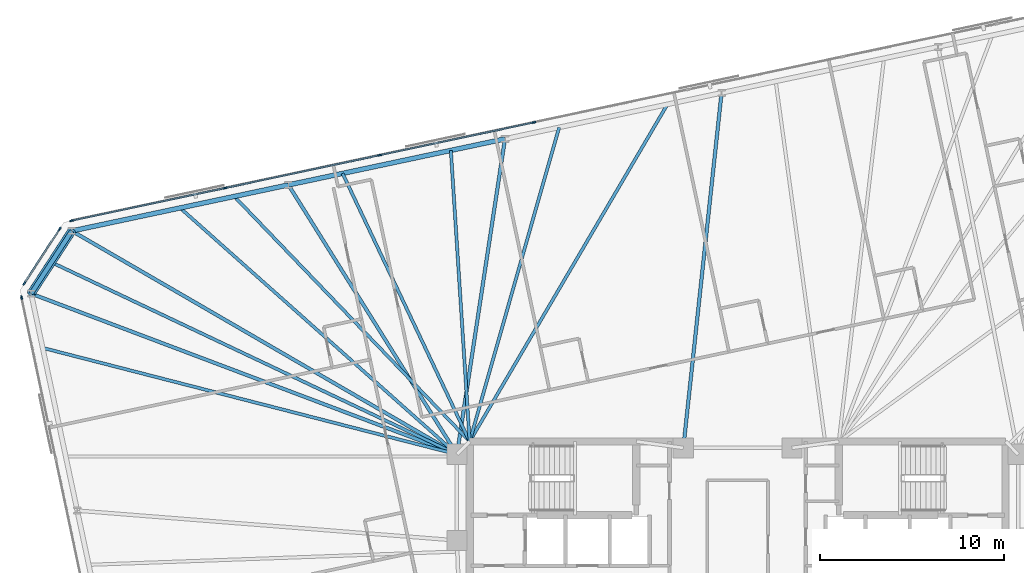
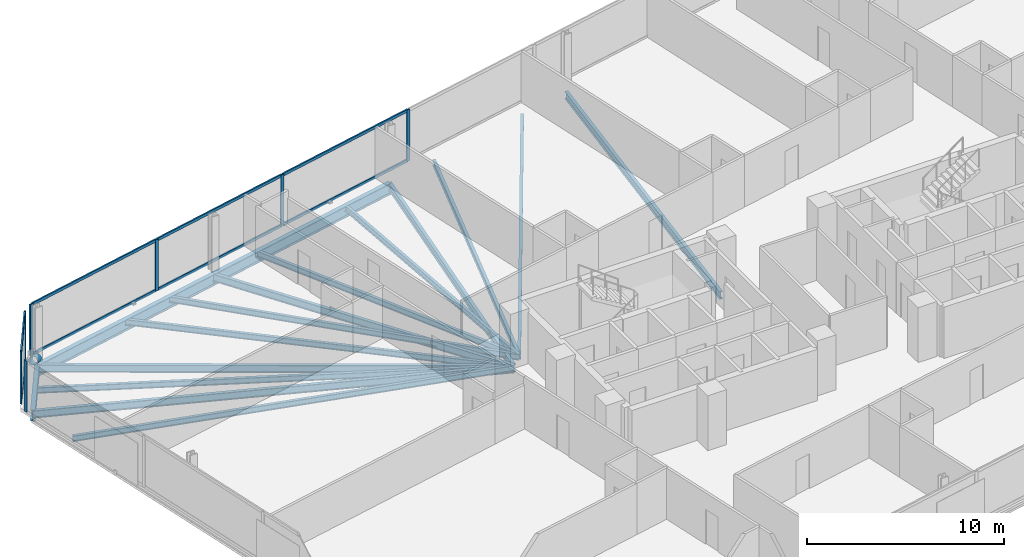
# One storey, part 9 of 19: 16 beams, 16 members, 3 elements without a shape of their own.
"""IFC4 building model written with IfcOpenShell, lengths in metres."""

from ifc_helpers import new_model, si_unit, direction, frame, origin, origin_2d, place, context, subcontext, project, spatial, rectangle, hollow_circle, i_section, extrude, material, material_profile, profile_set, type_object, element, aggregate, save


model = new_model("IFC4")

# Units and contexts
model_context = context("Model", 3, precision=1e-05, world=origin(), true_north=direction((0.0, 1.0)))
body_context = subcontext(model_context, "Body", "Model", "MODEL_VIEW")
ifc_project = project(units=[si_unit("LENGTHUNIT", "METRE"), si_unit("AREAUNIT", "SQUARE_METRE"), si_unit("VOLUMEUNIT", "CUBIC_METRE"), si_unit("PLANEANGLEUNIT", "RADIAN"), si_unit("MASSUNIT", "GRAM", prefix="KILO")], contexts=[model_context])

# Site, building, storey
site_placement = place(None, origin())
site = spatial("IfcSite", under=ifc_project, at=site_placement, CompositionType="ELEMENT")
building_placement = place(site_placement, origin())
building = spatial("IfcBuilding", under=site, at=building_placement, Name="Menara Jurai Vektor", CompositionType="ELEMENT")
storey_placement = place(building_placement, frame((0.0, 0.0, 195.60009765625)))
storey = spatial("IfcBuildingStorey", under=building, at=storey_placement, Name="L51", CompositionType="ELEMENT", Elevation=195.60009765625)

# Curtain wall, members
ifc_material_1 = material(Name="Anodised Pale Aluminium & Low-E Double Glazing", Category="aluminium")
curtain_wall_type = type_object("IfcCurtainWallType", Name="CW-BLK3", PredefinedType="NOTDEFINED", material=ifc_material_1)
curtain_wall_1_placement = place(storey_placement, origin())
curtain_wall_1 = element("IfcCurtainWall", 1, at=curtain_wall_1_placement, inside=storey, type_object=curtain_wall_type, Name="Unitised Curtain Wall L51 F05", PredefinedType="NOTDEFINED")
ifc_material_2 = material(Name="Anodised Pale Aluminium Mullion", Category="aluminium")
ifc_material_profile_1 = material_profile(ifc_material_2, rectangle(XDim=0.0849609375, YDim=0.205078125, at=origin_2d()), Name="ALU MUL 85x205")
ifc_profile_set_1 = profile_set([ifc_material_profile_1], Name="Anodised Pale Aluminium Mullion")
member_type_1 = type_object("IfcMemberType", Name="CW-BLK3-MUL", PredefinedType="MULLION", material=ifc_profile_set_1)
member_1_placement = place(storey_placement, frame((-11.06494140625, 22.9384765625, 0.0), z_axis=(0.0, 0.0, 1.0), x_axis=(0.207911344156, -0.978147674419, 0.0)))
member_1 = element("IfcMember", 2, at=member_1_placement, type_object=member_type_1, Name="CW-03 mullion 5", PredefinedType="MULLION", context=body_context, shape_type="SweptSolid", body=[
    extrude(rectangle(XDim=0.0849609375, YDim=0.205078125, at=origin_2d()), origin(), (0.0, 0.0, 1.0), 3.1748046875),
])
member_2_placement = place(storey_placement, frame((-19.45458984375, 21.1552734375, 0.0), z_axis=(0.0, 0.0, 1.0), x_axis=(0.207911344156, -0.978147674419, 0.0)))
member_2 = element("IfcMember", 3, at=member_2_placement, type_object=member_type_1, Name="CW-03 mullion 6", PredefinedType="MULLION", context=body_context, shape_type="SweptSolid", body=[
    extrude(rectangle(XDim=0.0849609375, YDim=0.205078125, at=origin_2d()), origin(), (0.0, 0.0, 1.0), 3.1748046875),
])
member_3_placement = place(storey_placement, frame((-27.844482421875, 19.3720703125, 0.0), z_axis=(0.0, 0.0, 1.0), x_axis=(0.207911344156, -0.978147674419, 0.0)))
member_3 = element("IfcMember", 4, at=member_3_placement, type_object=member_type_1, Name="CW-03 mullion 7", PredefinedType="MULLION", context=body_context, shape_type="SweptSolid", body=[
    extrude(rectangle(XDim=0.0849609375, YDim=0.205078125, at=origin_2d()), origin(), (0.0, 0.0, 1.0), 3.1748046875),
])
member_4_placement = place(storey_placement, frame((-36.192626953125, 17.59765625, 0.0), z_axis=(0.0, 0.0, 1.0), x_axis=(0.207911344156, -0.978147674419, 0.0)))
member_4 = element("IfcMember", 5, at=member_4_placement, type_object=member_type_1, Name="CW-03 mullion 8", PredefinedType="MULLION", context=body_context, shape_type="SweptSolid", body=[
    extrude(rectangle(XDim=0.0849609375, YDim=0.205078125, at=origin_2d()), origin(), (0.0, 0.0, 1.0), 3.1748046875),
])

curtain_wall_2_placement = place(storey_placement, origin())
curtain_wall_2 = element("IfcCurtainWall", 6, at=curtain_wall_2_placement, inside=storey, type_object=curtain_wall_type, Name="Unitised Curtain Wall L51 F06", PredefinedType="NOTDEFINED")
member_5_placement = place(storey_placement, frame((-36.8359375, 17.1552734375, 0.0), z_axis=(0.0, 0.0, 1.0), x_axis=(0.838684361415, -0.544617794346, 0.0)))
member_5 = element("IfcMember", 7, at=member_5_placement, type_object=member_type_1, Name="CW-03 mullion 1", PredefinedType="MULLION", context=body_context, shape_type="SweptSolid", body=[
    extrude(rectangle(XDim=0.0849609375, YDim=0.205078125, at=origin_2d()), origin(), (0.0, 0.0, 1.0), 3.1748046875),
])
member_6_placement = place(storey_placement, frame((-38.763427734375, 14.187255859375, 0.0), z_axis=(0.0, 0.0, 1.0), x_axis=(0.838684361415, -0.544617794346, 0.0)))
member_6 = element("IfcMember", 8, at=member_6_placement, type_object=member_type_1, Name="CW-03 mullion 2", PredefinedType="MULLION", context=body_context, shape_type="SweptSolid", body=[
    extrude(rectangle(XDim=0.0849609375, YDim=0.205078125, at=origin_2d()), origin(), (0.0, 0.0, 1.0), 3.1748046875),
])

# Curtain wall, member
curtain_wall_3_placement = place(storey_placement, origin())
curtain_wall_3 = element("IfcCurtainWall", 9, at=curtain_wall_3_placement, inside=storey, type_object=curtain_wall_type, Name="Unitised Curtain Wall L51 F07", PredefinedType="NOTDEFINED")
member_7_placement = place(storey_placement, frame((-38.90576171875, 13.419677734375, 0.0), z_axis=(0.0, 0.0, 1.0), x_axis=(0.978147883949, 0.20791035839, 0.0)))
member_7 = element("IfcMember", 10, at=member_7_placement, type_object=member_type_1, Name="CW-03 mullion 1", PredefinedType="MULLION", context=body_context, shape_type="SweptSolid", body=[
    extrude(rectangle(XDim=0.0849609375, YDim=0.205078125, at=origin_2d()), origin(), (0.0, 0.0, 1.0), 3.1748046875),
])
aggregate(curtain_wall_3, [member_7])

# Member
ifc_material_3 = material(Name="Anodised Pale Aluminium Transom", Category="aluminium")
ifc_material_profile_2 = material_profile(ifc_material_3, rectangle(XDim=0.0849609375, YDim=0.175048828125, at=origin_2d()), Name="ALU TRN 85x175")
ifc_profile_set_2 = profile_set([ifc_material_profile_2], Name="Anodised Pale Aluminium Transom")
member_type_2 = type_object("IfcMemberType", Name="CW-BLK3-TRN", PredefinedType="USERDEFINED", material=ifc_profile_set_2)
member_8_placement = place(storey_placement, frame((-11.1064453125, 22.9296875, 0.04248046875), z_axis=(-0.978147743708, -0.207911018178, 0.0), x_axis=(0.207911018178, -0.978147743708, 0.0)))
member_8 = element("IfcMember", 11, at=member_8_placement, type_object=member_type_2, Name="CW-03 transom 5.1", ObjectType="TRANSOM", PredefinedType="USERDEFINED", context=body_context, shape_type="SweptSolid", body=[
    extrude(rectangle(XDim=0.0849609375, YDim=0.175048828125, at=origin_2d()), origin(), (0.0, 0.0, 1.0), 8.4921875),
])

member_9_placement = place(storey_placement, frame((-11.1064453125, 22.9296875, 3.13232421875), z_axis=(-0.978147743708, -0.207911018178, 0.0), x_axis=(0.207911018178, -0.978147743708, 0.0)))
member_9 = element("IfcMember", 12, at=member_9_placement, type_object=member_type_2, Name="CW-03 transom 5.2", ObjectType="TRANSOM", PredefinedType="USERDEFINED", context=body_context, shape_type="SweptSolid", body=[
    extrude(rectangle(XDim=0.0849609375, YDim=0.175048828125, at=origin_2d()), origin(), (0.0, 0.0, 1.0), 8.4921875),
])

member_10_placement = place(storey_placement, frame((-19.496337890625, 21.146484375, 0.04248046875), z_axis=(-0.978146500933, -0.207916864907, 0.0), x_axis=(0.207916864907, -0.978146500933, 0.0)))
member_10 = element("IfcMember", 13, at=member_10_placement, type_object=member_type_2, Name="CW-03 transom 6.1", ObjectType="TRANSOM", PredefinedType="USERDEFINED", context=body_context, shape_type="SweptSolid", body=[
    extrude(rectangle(XDim=0.0849609375, YDim=0.175048828125, at=origin_2d()), origin(), (0.0, 0.0, 1.0), 8.491943359375),
])

member_11_placement = place(storey_placement, frame((-19.496337890625, 21.146484375, 3.13232421875), z_axis=(-0.978146500933, -0.207916864907, 0.0), x_axis=(0.207916864907, -0.978146500933, 0.0)))
member_11 = element("IfcMember", 14, at=member_11_placement, type_object=member_type_2, Name="CW-03 transom 6.2", ObjectType="TRANSOM", PredefinedType="USERDEFINED", context=body_context, shape_type="SweptSolid", body=[
    extrude(rectangle(XDim=0.0849609375, YDim=0.175048828125, at=origin_2d()), origin(), (0.0, 0.0, 1.0), 8.491943359375),
])

member_12_placement = place(storey_placement, frame((-27.885986328125, 19.363037109375, 0.04248046875), z_axis=(-0.978151580361, -0.207892967261, 0.0), x_axis=(0.207892967261, -0.978151580361, 0.0)))
member_12 = element("IfcMember", 15, at=member_12_placement, type_object=member_type_2, Name="CW-03 transom 7.1", ObjectType="TRANSOM", PredefinedType="USERDEFINED", context=body_context, shape_type="SweptSolid", body=[
    extrude(rectangle(XDim=0.0849609375, YDim=0.175048828125, at=origin_2d()), origin(), (0.0, 0.0, 1.0), 8.449462890625),
])

member_13_placement = place(storey_placement, frame((-27.885986328125, 19.363037109375, 3.13232421875), z_axis=(-0.978151580361, -0.207892967261, 0.0), x_axis=(0.207892967261, -0.978151580361, 0.0)))
member_13 = element("IfcMember", 16, at=member_13_placement, type_object=member_type_2, Name="CW-03 transom 7.2", ObjectType="TRANSOM", PredefinedType="USERDEFINED", context=body_context, shape_type="SweptSolid", body=[
    extrude(rectangle(XDim=0.0849609375, YDim=0.175048828125, at=origin_2d()), origin(), (0.0, 0.0, 1.0), 8.449462890625),
])

aggregate(curtain_wall_1, [member_1, member_2, member_3, member_4, member_8, member_9, member_10, member_11, member_12, member_13])

member_14_placement = place(storey_placement, frame((-36.859130859375, 17.11962890625, 0.04248046875), z_axis=(-0.54462804274, -0.83867770631, 0.0), x_axis=(0.83867770631, -0.54462804274, 0.0)))
member_14 = element("IfcMember", 17, at=member_14_placement, type_object=member_type_2, Name="CW-03 transom 1.1", ObjectType="TRANSOM", PredefinedType="USERDEFINED", context=body_context, shape_type="SweptSolid", body=[
    extrude(rectangle(XDim=0.0849609375, YDim=0.175048828125, at=origin_2d()), origin(), (0.0, 0.0, 1.0), 3.453857421875),
])

member_15_placement = place(storey_placement, frame((-36.859130859375, 17.11962890625, 3.13232421875), z_axis=(-0.54462804274, -0.83867770631, 0.0), x_axis=(0.83867770631, -0.54462804274, 0.0)))
member_15 = element("IfcMember", 18, at=member_15_placement, type_object=member_type_2, Name="CW-03 transom 1.2", ObjectType="TRANSOM", PredefinedType="USERDEFINED", context=body_context, shape_type="SweptSolid", body=[
    extrude(rectangle(XDim=0.0849609375, YDim=0.175048828125, at=origin_2d()), origin(), (0.0, 0.0, 1.0), 3.453857421875),
])

aggregate(curtain_wall_2, [member_5, member_6, member_14, member_15])

# Beams
ifc_material_4 = material(Name="Steel S355", Category="steel")
ifc_material_profile_3 = material_profile(ifc_material_4, i_section(OverallWidth=0.19091796875, OverallDepth=0.4599609375, WebThickness=0.010009765625, FlangeThickness=0.01611328125, FilletRadius=0.010009765625, at=origin_2d()), Name="UKB 457x191x82")
ifc_profile_set_3 = profile_set([ifc_material_profile_3], Name="Steel S355")
beam_type_1 = type_object("IfcBeamType", Name="STR-BM-457", PredefinedType="BEAM", material=ifc_profile_set_3)
beam_1_placement = place(storey_placement, frame((-0.87158203125, 24.54296875, -0.455078125), z_axis=(-0.107107067506, -0.994247492373, 0.0), x_axis=(0.994247492373, -0.107107067506, 0.0)))
element("IfcBeam", 19, at=beam_1_placement, inside=storey, type_object=beam_type_1, Name="Radial Floor Girder L51-N3", PredefinedType="BEAM", context=body_context, shape_type="SweptSolid", body=[
    extrude(i_section(OverallWidth=0.19091796875, OverallDepth=0.4599609375, WebThickness=0.010009765625, FlangeThickness=0.01611328125, FilletRadius=0.010009765625, at=origin_2d()), origin(), (0.0, 0.0, 1.0), 19.404541015625),
])
beam_2_placement = place(storey_placement, frame((-12.639892578125, 22.04150390625, -0.455078125), z_axis=(-0.150532344322, -0.988605084608, 0.0), x_axis=(0.988605084608, -0.150532344322, 0.0)))
element("IfcBeam", 20, at=beam_2_placement, inside=storey, type_object=beam_type_1, Name="Radial Floor Girder L51-N4", PredefinedType="BEAM", context=body_context, shape_type="SweptSolid", body=[
    extrude(i_section(OverallWidth=0.19091796875, OverallDepth=0.4599609375, WebThickness=0.010009765625, FlangeThickness=0.01611328125, FilletRadius=0.010009765625, at=origin_2d()), origin(), (0.0, 0.0, 1.0), 17.339111328125),
])
beam_3_placement = place(storey_placement, frame((-24.408203125, 19.5400390625, -0.455078125), z_axis=(0.53033693414, -0.847786963976, 0.0), x_axis=(0.847786963976, 0.53033693414, 0.0)))
element("IfcBeam", 21, at=beam_3_placement, inside=storey, type_object=beam_type_1, Name="Radial Floor Girder L51-N5", PredefinedType="BEAM", context=body_context, shape_type="SweptSolid", body=[
    extrude(i_section(OverallWidth=0.19091796875, OverallDepth=0.4599609375, WebThickness=0.010009765625, FlangeThickness=0.01611328125, FilletRadius=0.010009765625, at=origin_2d()), origin(), (0.0, 0.0, 1.0), 17.2685546875),
])
beam_4_placement = place(storey_placement, frame((-36.17626953125, 17.038818359375, -0.455078125), z_axis=(0.86500105453, -0.50177004261, 0.0), x_axis=(0.50177004261, 0.86500105453, 0.0)))
element("IfcBeam", 22, at=beam_4_placement, inside=storey, type_object=beam_type_1, Name="Radial Floor Girder L51-N6", PredefinedType="BEAM", context=body_context, shape_type="SweptSolid", body=[
    extrude(i_section(OverallWidth=0.19091796875, OverallDepth=0.4599609375, WebThickness=0.010009765625, FlangeThickness=0.01611328125, FilletRadius=0.010009765625, at=origin_2d()), origin(), (0.0, 0.0, 1.0), 24.192138671875),
])
beam_5_placement = place(storey_placement, frame((-38.388671875, 13.632080078125, -0.455078125), z_axis=(0.935593658977, -0.353078610626, 0.0), x_axis=(0.353078610626, 0.935593658977, 0.0)))
element("IfcBeam", 23, at=beam_5_placement, inside=storey, type_object=beam_type_1, Name="Radial Floor Girder L51-W1", PredefinedType="BEAM", context=body_context, shape_type="SweptSolid", body=[
    extrude(i_section(OverallWidth=0.19091796875, OverallDepth=0.4599609375, WebThickness=0.010009765625, FlangeThickness=0.01611328125, FilletRadius=0.010009765625, at=origin_2d()), origin(), (0.0, 0.0, 1.0), 24.7314453125),
])

# Member
ifc_material_5 = material(Name="Steel S460", Category="steel")
ifc_material_profile_4 = material_profile(ifc_material_5, hollow_circle(Radius=0.228515625, WallThickness=0.01611328125, at=origin_2d()), Name="CHS 457x16")
ifc_profile_set_4 = profile_set([ifc_material_profile_4], Name="Steel S460")
member_type_3 = type_object("IfcMemberType", Name="STR-BR-457", PredefinedType="BRACE", material=ifc_profile_set_4)
member_16_placement = place(storey_placement, frame((-36.17626953125, 17.03857421875, 0.14990234375), z_axis=(-0.454887866849, -0.700402825662, 0.5500117366), x_axis=(0.838648168484, -0.544673525608, 0.0)))
element("IfcMember", 24, at=member_16_placement, inside=storey, type_object=member_type_3, Name="Exoskeleton Corner Brace L51-3", PredefinedType="BRACE", context=body_context, shape_type="SweptSolid", body=[
    extrude(hollow_circle(Radius=0.228515625, WallThickness=0.01611328125, at=origin_2d()), origin(), (0.0, 0.0, 1.0), 4.863525390625),
])

# Beams
ifc_material_profile_5 = material_profile(ifc_material_4, i_section(OverallWidth=0.172119140625, OverallDepth=0.35498046875, WebThickness=0.007080078125, FlangeThickness=0.011962890625, FilletRadius=0.010009765625, at=origin_2d()), Name="UKB 356x171x51")
ifc_profile_set_5 = profile_set([ifc_material_profile_5], Name="Steel S355")
beam_type_2 = type_object("IfcBeamType", Name="STR-JS-356", PredefinedType="JOIST", material=ifc_profile_set_5)
beam_6_placement = place(storey_placement, frame((-3.813720703125, 23.91748046875, -0.402587890625), z_axis=(-0.506019514775, -0.862522029091, 0.0), x_axis=(0.862522029091, -0.506019514775, 0.0)))
element("IfcBeam", 25, at=beam_6_placement, inside=storey, type_object=beam_type_2, Name="Radial Secondary Floor Joist L51-JS22", PredefinedType="JOIST", context=body_context, shape_type="SweptSolid", body=[
    extrude(i_section(OverallWidth=0.172119140625, OverallDepth=0.35498046875, WebThickness=0.007080078125, FlangeThickness=0.011962890625, FilletRadius=0.010009765625, at=origin_2d()), origin(), (0.0, 0.0, 1.0), 21.237060546875),
])
beam_7_placement = place(storey_placement, frame((-9.69775390625, 22.666748046875, -0.402587890625), z_axis=(-0.273997863708, -0.961730300387, 0.0), x_axis=(0.961730300387, -0.273997863708, 0.0)))
element("IfcBeam", 26, at=beam_7_placement, inside=storey, type_object=beam_type_2, Name="Radial Secondary Floor Joist L51-JS23", PredefinedType="JOIST", context=body_context, shape_type="SweptSolid", body=[
    extrude(i_section(OverallWidth=0.172119140625, OverallDepth=0.35498046875, WebThickness=0.007080078125, FlangeThickness=0.011962890625, FilletRadius=0.010009765625, at=origin_2d()), origin(), (0.0, 0.0, 1.0), 17.745849609375),
])
beam_8_placement = place(storey_placement, frame((-15.581787109375, 21.416015625, -0.402587890625), z_axis=(0.064466897528, -0.997919846041, 0.0), x_axis=(0.997919846041, 0.064466897528, 0.0)))
element("IfcBeam", 27, at=beam_8_placement, inside=storey, type_object=beam_type_2, Name="Radial Secondary Floor Joist L51-JS24", PredefinedType="JOIST", context=body_context, shape_type="SweptSolid", body=[
    extrude(i_section(OverallWidth=0.172119140625, OverallDepth=0.35498046875, WebThickness=0.007080078125, FlangeThickness=0.011962890625, FilletRadius=0.010009765625, at=origin_2d()), origin(), (0.0, 0.0, 1.0), 15.848876953125),
])
beam_9_placement = place(storey_placement, frame((-21.466064453125, 20.165283203125, -0.402587890625), z_axis=(0.428426167333, -0.903576792057, 0.0), x_axis=(0.903576792057, 0.428426167333, 0.0)))
element("IfcBeam", 28, at=beam_9_placement, inside=storey, type_object=beam_type_2, Name="Radial Secondary Floor Joist L51-JS25", PredefinedType="JOIST", context=body_context, shape_type="SweptSolid", body=[
    extrude(i_section(OverallWidth=0.172119140625, OverallDepth=0.35498046875, WebThickness=0.007080078125, FlangeThickness=0.011962890625, FilletRadius=0.010009765625, at=origin_2d()), origin(), (0.0, 0.0, 1.0), 16.119384765625),
])
beam_10_placement = place(storey_placement, frame((-27.35009765625, 18.914794921875, -0.402587890625), z_axis=(0.692755307066, -0.721172714772, 0.0), x_axis=(0.721172714772, 0.692755307066, 0.0)))
element("IfcBeam", 29, at=beam_10_placement, inside=storey, type_object=beam_type_2, Name="Radial Secondary Floor Joist L51-JS26", PredefinedType="JOIST", context=body_context, shape_type="SweptSolid", body=[
    extrude(i_section(OverallWidth=0.172119140625, OverallDepth=0.35498046875, WebThickness=0.007080078125, FlangeThickness=0.011962890625, FilletRadius=0.010009765625, at=origin_2d()), origin(), (0.0, 0.0, 1.0), 18.462646484375),
])
beam_11_placement = place(storey_placement, frame((-30.292236328125, 18.289306640625, -0.402587890625), z_axis=(0.746952302948, -0.664877625673, 0.0), x_axis=(0.664877625673, 0.746952302948, 0.0)))
element("IfcBeam", 30, at=beam_11_placement, inside=storey, type_object=beam_type_2, Name="Radial Secondary Floor Joist L51-JS27", PredefinedType="JOIST", context=body_context, shape_type="SweptSolid", body=[
    extrude(i_section(OverallWidth=0.172119140625, OverallDepth=0.35498046875, WebThickness=0.007080078125, FlangeThickness=0.011962890625, FilletRadius=0.010009765625, at=origin_2d()), origin(), (0.0, 0.0, 1.0), 20.13818359375),
])
beam_12_placement = place(storey_placement, frame((-37.282470703125, 15.33544921875, -0.402587890625), z_axis=(0.903751908448, -0.428056641085, 0.0), x_axis=(0.428056641085, 0.903751908448, 0.0)))
element("IfcBeam", 31, at=beam_12_placement, inside=storey, type_object=beam_type_2, Name="Radial Secondary Floor Joist L51-JS28", PredefinedType="JOIST", context=body_context, shape_type="SweptSolid", body=[
    extrude(i_section(OverallWidth=0.172119140625, OverallDepth=0.35498046875, WebThickness=0.007080078125, FlangeThickness=0.011962890625, FilletRadius=0.010009765625, at=origin_2d()), origin(), (0.0, 0.0, 1.0), 24.37890625),
])
beam_13_placement = place(storey_placement, frame((-37.76220703125, 10.68505859375, -0.402587890625), z_axis=(0.968531283953, -0.248891848005, 0.0), x_axis=(0.248891848005, 0.968531283953, 0.0)))
element("IfcBeam", 32, at=beam_13_placement, inside=storey, type_object=beam_type_2, Name="Radial Secondary Floor Joist L51-JS29", PredefinedType="JOIST", context=body_context, shape_type="SweptSolid", body=[
    extrude(i_section(OverallWidth=0.172119140625, OverallDepth=0.35498046875, WebThickness=0.007080078125, FlangeThickness=0.011962890625, FilletRadius=0.010009765625, at=origin_2d()), origin(), (0.0, 0.0, 1.0), 23.24365234375),
])
ifc_material_profile_6 = material_profile(ifc_material_5, i_section(OverallWidth=0.256103515625, OverallDepth=0.693115234375, WebThickness=0.013916015625, FlangeThickness=0.02392578125, FilletRadius=0.014892578125, at=origin_2d()), Name="UKB 686x254x170")
ifc_profile_set_6 = profile_set([ifc_material_profile_6], Name="Steel S460")
beam_type_3 = type_object("IfcBeamType", Name="STR-SP-686", PredefinedType="SPANDREL", material=ifc_profile_set_6)
beam_14_placement = place(storey_placement, frame((-12.639892578125, 22.04150390625, -0.571533203125), z_axis=(-0.978147039247, -0.207914332389, 0.0), x_axis=(0.207914332389, -0.978147039247, 0.0)))
element("IfcBeam", 33, at=beam_14_placement, inside=storey, type_object=beam_type_3, Name="Exoskeleton Spandrel Beam L51-14", PredefinedType="SPANDREL", context=body_context, shape_type="SweptSolid", body=[
    extrude(i_section(OverallWidth=0.256103515625, OverallDepth=0.693115234375, WebThickness=0.013916015625, FlangeThickness=0.02392578125, FilletRadius=0.014892578125, at=origin_2d()), origin(), (0.0, 0.0, 1.0), 12.03125),
])
beam_15_placement = place(storey_placement, frame((-24.408203125, 19.5400390625, -0.571533203125), z_axis=(-0.978150288855, -0.207899043801, 0.0), x_axis=(0.207899043801, -0.978150288855, 0.0)))
element("IfcBeam", 34, at=beam_15_placement, inside=storey, type_object=beam_type_3, Name="Exoskeleton Spandrel Beam L51-15", PredefinedType="SPANDREL", context=body_context, shape_type="SweptSolid", body=[
    extrude(i_section(OverallWidth=0.256103515625, OverallDepth=0.693115234375, WebThickness=0.013916015625, FlangeThickness=0.02392578125, FilletRadius=0.014892578125, at=origin_2d()), origin(), (0.0, 0.0, 1.0), 12.031005859375),
])
beam_16_placement = place(storey_placement, frame((-36.17626953125, 17.038818359375, -0.571533203125), z_axis=(-0.544646071268, -0.838665998507, 0.0), x_axis=(0.838665998507, -0.544646071268, 0.0)))
element("IfcBeam", 35, at=beam_16_placement, inside=storey, type_object=beam_type_3, Name="Exoskeleton Spandrel Beam L51-16", PredefinedType="SPANDREL", context=body_context, shape_type="SweptSolid", body=[
    extrude(i_section(OverallWidth=0.256103515625, OverallDepth=0.693115234375, WebThickness=0.013916015625, FlangeThickness=0.02392578125, FilletRadius=0.014892578125, at=origin_2d()), origin(), (0.0, 0.0, 1.0), 4.06201171875),
])

save(model, "model.ifc")
